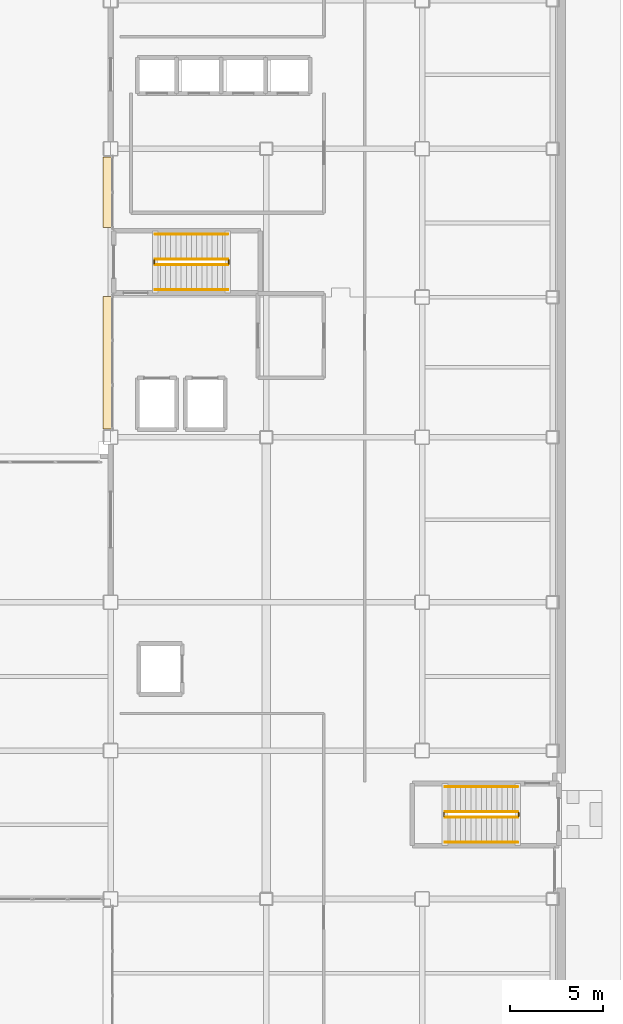
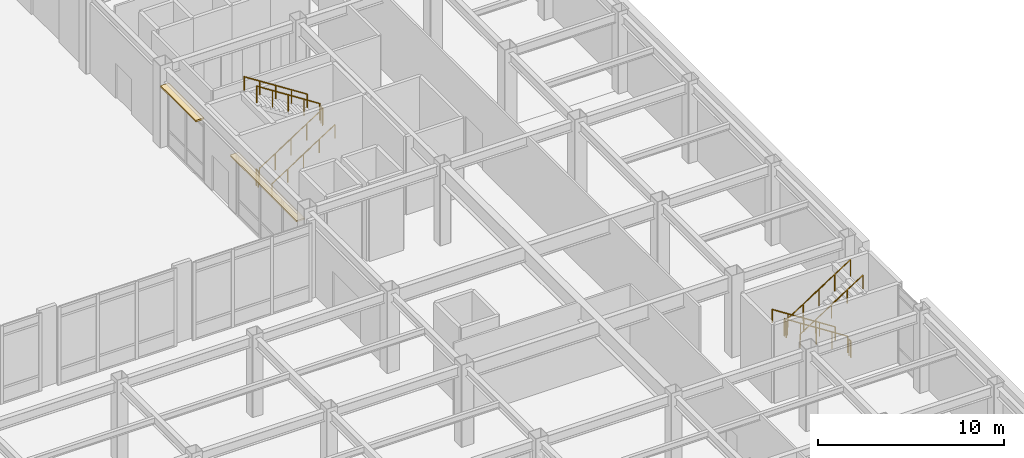
# One storey, part 162 of 165: 12 railings, 2 coverings.
"""IFC4 building model written with IfcOpenShell, lengths in metres."""

from ifc_helpers import new_model, si_unit, direction, frame, origin, origin_2d, place, context, subcontext, project, spatial, rectangle, circle, extrude, material, layer, layer_set, type_object, element, save


model = new_model("IFC4")

# Units and contexts
model_context = context("Model", 3, precision=1e-05, world=origin(), true_north=direction((0.0, 1.0)))
body_context = subcontext(model_context, "Body", "Model", "MODEL_VIEW")
ifc_project = project(units=[si_unit("LENGTHUNIT", "METRE"), si_unit("AREAUNIT", "SQUARE_METRE"), si_unit("VOLUMEUNIT", "CUBIC_METRE"), si_unit("PLANEANGLEUNIT", "RADIAN"), si_unit("MASSUNIT", "GRAM", prefix="KILO")], contexts=[model_context])

# Site, building, storey
site_placement = place(None, origin())
site = spatial("IfcSite", under=ifc_project, at=site_placement, CompositionType="ELEMENT")
building_placement = place(site_placement, origin())
building = spatial("IfcBuilding", under=site, at=building_placement, Name="Kazehara Bluff Congress Hotel", CompositionType="ELEMENT")
storey_placement = place(building_placement, origin())
storey = spatial("IfcBuildingStorey", under=building, at=storey_placement, Name="L00", CompositionType="ELEMENT", Elevation=0.0)

# Coverings
ifc_material_1 = material(Name="Anodised aluminium architectural brise-soleil", Category="aluminium")
ifc_layer = layer(ifc_material_1, 0.10009765625)
ifc_layer_set = layer_set([ifc_layer], Name="Anodised aluminium architectural brise-soleil")
covering_type = type_object("IfcCoveringType", Name="TP-FAC-FIN", PredefinedType="CLADDING", material=ifc_layer_set)
covering_1_placement = place(storey_placement, frame((143.56005859375, 44.919921875, 4.054931640625), z_axis=(0.0, 0.0, 1.0), x_axis=(1.0, 0.0, 0.0)))
element("IfcCovering", 1, at=covering_1_placement, inside=storey, type_object=covering_type, Name="L00 V5 architectural sun-hood 24", PredefinedType="CLADDING", context=body_context, shape_type="SweptSolid", body=[
    extrude(rectangle(XDim=0.52001953125, YDim=7.139892578125, at=origin_2d()), origin(), (0.0, 0.0, 1.0), 0.10009765625),
])
covering_2_placement = place(storey_placement, frame((143.56005859375, 54.10498046875, 4.054931640625), z_axis=(0.0, 0.0, 1.0), x_axis=(1.0, 0.0, 0.0)))
element("IfcCovering", 2, at=covering_2_placement, inside=storey, type_object=covering_type, Name="L00 V5 architectural sun-hood 25", PredefinedType="CLADDING", context=body_context, shape_type="SweptSolid", body=[
    extrude(rectangle(XDim=0.52001953125, YDim=3.7900390625, at=origin_2d()), origin(), (0.0, 0.0, 1.0), 0.10009765625),
])

# Railings
ifc_material_2 = material(Name="Brushed stainless steel", Category="steel")
railing_type_1 = type_object("IfcRailingType", Name="TP-GRD-INT", PredefinedType="GUARDRAIL", material=ifc_material_2)
railing_1_placement = place(storey_placement, frame((165.64990234375, 20.699951171875, 0.179931640625)))
element("IfcRailing", 3, at=railing_1_placement, inside=storey, type_object=railing_type_1, Name="L00 ST-10 stair guard 1", PredefinedType="GUARDRAIL", context=body_context, shape_type="SweptSolid", body=[
    extrude(circle(Radius=0.02392578125, at=origin_2d()), frame((0.0, 0.0, 1.076171875), z_axis=(-0.841171666519, 0.0, 0.540768182723), x_axis=(0.0, -1.0, 0.0)), (0.0, 0.0, 1.0), 4.66015625),
    extrude(circle(Radius=0.02099609375, at=origin_2d()), origin(), (0.0, 0.0, 1.0), 1.052001953125),
    extrude(circle(Radius=0.02099609375, at=origin_2d()), frame((-0.97998046875, 0.0, 0.6298828125)), (0.0, 0.0, 1.0), 1.052001953125),
    extrude(circle(Radius=0.02099609375, at=origin_2d()), frame((-1.9599609375, 0.0, 1.260009765625)), (0.0, 0.0, 1.0), 1.052001953125),
    extrude(circle(Radius=0.02099609375, at=origin_2d()), frame((-2.93994140625, 0.0, 1.89013671875)), (0.0, 0.0, 1.0), 1.052001953125),
    extrude(circle(Radius=0.02099609375, at=origin_2d()), frame((-3.919921875, 0.0, 2.52001953125)), (0.0, 0.0, 1.0), 1.052001953125),
])
railing_2_placement = place(storey_placement, frame((161.679931640625, 20.64990234375, 2.699951171875)))
element("IfcRailing", 4, at=railing_2_placement, inside=storey, type_object=railing_type_1, Name="L00 ST-10 stair guard 2", PredefinedType="GUARDRAIL", context=body_context, shape_type="SweptSolid", body=[
    extrude(circle(Radius=0.02392578125, at=origin_2d()), frame((0.0, 0.0, 1.076171875), z_axis=(0.0, -1.0, 0.0), x_axis=(1.0, 0.0, 0.0)), (0.0, 0.0, 1.0), 0.199951171875),
    extrude(circle(Radius=0.02099609375, at=origin_2d()), origin(), (0.0, 0.0, 1.0), 1.052001953125),
    extrude(circle(Radius=0.02099609375, at=origin_2d()), frame((0.0, -0.199951171875, 0.0)), (0.0, 0.0, 1.0), 1.052001953125),
])
railing_3_placement = place(storey_placement, frame((161.72998046875, 20.39990234375, 2.8798828125)))
element("IfcRailing", 5, at=railing_3_placement, inside=storey, type_object=railing_type_1, Name="L00 ST-10 stair guard 3", PredefinedType="GUARDRAIL", context=body_context, shape_type="SweptSolid", body=[
    extrude(circle(Radius=0.02392578125, at=origin_2d()), frame((0.0, 0.0, 1.076171875), z_axis=(0.841171666519, 0.0, 0.540768182723), x_axis=(0.0, 1.0, 0.0)), (0.0, 0.0, 1.0), 4.66015625),
    extrude(circle(Radius=0.02099609375, at=origin_2d()), origin(), (0.0, 0.0, 1.0), 1.052001953125),
    extrude(circle(Radius=0.02099609375, at=origin_2d()), frame((0.97998046875, 0.0, 0.6298828125)), (0.0, 0.0, 1.0), 1.052001953125),
    extrude(circle(Radius=0.02099609375, at=origin_2d()), frame((1.9599609375, 0.0, 1.260009765625)), (0.0, 0.0, 1.0), 1.052001953125),
    extrude(circle(Radius=0.02099609375, at=origin_2d()), frame((2.93994140625, 0.0, 1.89013671875)), (0.0, 0.0, 1.0), 1.052001953125),
    extrude(circle(Radius=0.02099609375, at=origin_2d()), frame((3.919921875, 0.0, 2.52001953125)), (0.0, 0.0, 1.0), 1.052001953125),
])
railing_4_placement = place(storey_placement, frame((165.699951171875, 20.64990234375, 0.0)))
element("IfcRailing", 6, at=railing_4_placement, inside=storey, type_object=railing_type_1, Name="L00 ST-10 stair guard 4", PredefinedType="GUARDRAIL", context=body_context, shape_type="SweptSolid", body=[
    extrude(circle(Radius=0.02392578125, at=origin_2d()), frame((0.0, 0.0, 1.076171875), z_axis=(0.0, -1.0, 0.0), x_axis=(1.0, 0.0, 0.0)), (0.0, 0.0, 1.0), 0.199951171875),
    extrude(circle(Radius=0.02099609375, at=origin_2d()), origin(), (0.0, 0.0, 1.0), 1.052001953125),
    extrude(circle(Radius=0.02099609375, at=origin_2d()), frame((0.0, -0.199951171875, 0.0)), (0.0, 0.0, 1.0), 1.052001953125),
])
railing_5_placement = place(storey_placement, frame((146.10009765625, 50.199951171875, 0.179931640625)))
element("IfcRailing", 7, at=railing_5_placement, inside=storey, type_object=railing_type_1, Name="L00 ST-11 stair guard 1", PredefinedType="GUARDRAIL", context=body_context, shape_type="SweptSolid", body=[
    extrude(circle(Radius=0.02392578125, at=origin_2d()), frame((0.0, 0.0, 1.076171875), z_axis=(0.841171666519, 0.0, 0.540768182723), x_axis=(0.0, 1.0, 0.0)), (0.0, 0.0, 1.0), 4.66015625),
    extrude(circle(Radius=0.02099609375, at=origin_2d()), origin(), (0.0, 0.0, 1.0), 1.052001953125),
    extrude(circle(Radius=0.02099609375, at=origin_2d()), frame((0.97998046875, 0.0, 0.6298828125)), (0.0, 0.0, 1.0), 1.052001953125),
    extrude(circle(Radius=0.02099609375, at=origin_2d()), frame((1.9599609375, 0.0, 1.260009765625)), (0.0, 0.0, 1.0), 1.052001953125),
    extrude(circle(Radius=0.02099609375, at=origin_2d()), frame((2.93994140625, 0.0, 1.89013671875)), (0.0, 0.0, 1.0), 1.052001953125),
    extrude(circle(Radius=0.02099609375, at=origin_2d()), frame((3.919921875, 0.0, 2.52001953125)), (0.0, 0.0, 1.0), 1.052001953125),
])
railing_6_placement = place(storey_placement, frame((150.070068359375, 50.25, 2.699951171875)))
element("IfcRailing", 8, at=railing_6_placement, inside=storey, type_object=railing_type_1, Name="L00 ST-11 stair guard 2", PredefinedType="GUARDRAIL", context=body_context, shape_type="SweptSolid", body=[
    extrude(circle(Radius=0.02392578125, at=origin_2d()), frame((0.0, 0.0, 1.076171875), z_axis=(0.0, 1.0, 0.0), x_axis=(-1.0, 0.0, 0.0)), (0.0, 0.0, 1.0), 0.199951171875),
    extrude(circle(Radius=0.02099609375, at=origin_2d()), origin(), (0.0, 0.0, 1.0), 1.052001953125),
    extrude(circle(Radius=0.02099609375, at=origin_2d()), frame((0.0, 0.199951171875, 0.0)), (0.0, 0.0, 1.0), 1.052001953125),
])
railing_7_placement = place(storey_placement, frame((150.02001953125, 50.5, 2.8798828125)))
element("IfcRailing", 9, at=railing_7_placement, inside=storey, type_object=railing_type_1, Name="L00 ST-11 stair guard 3", PredefinedType="GUARDRAIL", context=body_context, shape_type="SweptSolid", body=[
    extrude(circle(Radius=0.02392578125, at=origin_2d()), frame((0.0, 0.0, 1.076171875), z_axis=(-0.841171666519, 0.0, 0.540768182723), x_axis=(0.0, -1.0, 0.0)), (0.0, 0.0, 1.0), 4.66015625),
    extrude(circle(Radius=0.02099609375, at=origin_2d()), origin(), (0.0, 0.0, 1.0), 1.052001953125),
    extrude(circle(Radius=0.02099609375, at=origin_2d()), frame((-0.97998046875, 0.0, 0.6298828125)), (0.0, 0.0, 1.0), 1.052001953125),
    extrude(circle(Radius=0.02099609375, at=origin_2d()), frame((-1.9599609375, 0.0, 1.260009765625)), (0.0, 0.0, 1.0), 1.052001953125),
    extrude(circle(Radius=0.02099609375, at=origin_2d()), frame((-2.93994140625, 0.0, 1.89013671875)), (0.0, 0.0, 1.0), 1.052001953125),
    extrude(circle(Radius=0.02099609375, at=origin_2d()), frame((-3.919921875, 0.0, 2.52001953125)), (0.0, 0.0, 1.0), 1.052001953125),
])
railing_8_placement = place(storey_placement, frame((146.050048828125, 50.25, 0.0)))
element("IfcRailing", 10, at=railing_8_placement, inside=storey, type_object=railing_type_1, Name="L00 ST-11 stair guard 4", PredefinedType="GUARDRAIL", context=body_context, shape_type="SweptSolid", body=[
    extrude(circle(Radius=0.02392578125, at=origin_2d()), frame((0.0, 0.0, 1.076171875), z_axis=(0.0, 1.0, 0.0), x_axis=(-1.0, 0.0, 0.0)), (0.0, 0.0, 1.0), 0.199951171875),
    extrude(circle(Radius=0.02099609375, at=origin_2d()), origin(), (0.0, 0.0, 1.0), 1.052001953125),
    extrude(circle(Radius=0.02099609375, at=origin_2d()), frame((0.0, 0.199951171875, 0.0)), (0.0, 0.0, 1.0), 1.052001953125),
])
ifc_material_3 = material(Name="Brushed stainless steel", Category="steel")
railing_type_2 = type_object("IfcRailingType", Name="TP-HR-INT", PredefinedType="HANDRAIL", material=ifc_material_3)
railing_9_placement = place(storey_placement, frame((165.64990234375, 22.050048828125, 0.179931640625)))
element("IfcRailing", 11, at=railing_9_placement, inside=storey, type_object=railing_type_2, Name="L00 ST-10 stair handrail 1", PredefinedType="HANDRAIL", context=body_context, shape_type="SweptSolid", body=[
    extrude(circle(Radius=0.02392578125, at=origin_2d()), frame((0.0, 0.0, 0.8759765625), z_axis=(-0.841171666519, 0.0, 0.540768182723), x_axis=(0.0, -1.0, 0.0)), (0.0, 0.0, 1.0), 4.66015625),
    extrude(circle(Radius=0.02099609375, at=origin_2d()), origin(), (0.0, 0.0, 1.0), 0.851806640625),
    extrude(circle(Radius=0.02099609375, at=origin_2d()), frame((-0.97998046875, 0.0, 0.6298828125)), (0.0, 0.0, 1.0), 0.851806640625),
    extrude(circle(Radius=0.02099609375, at=origin_2d()), frame((-1.9599609375, 0.0, 1.260009765625)), (0.0, 0.0, 1.0), 0.851806640625),
    extrude(circle(Radius=0.02099609375, at=origin_2d()), frame((-2.93994140625, 0.0, 1.89013671875)), (0.0, 0.0, 1.0), 0.851806640625),
    extrude(circle(Radius=0.02099609375, at=origin_2d()), frame((-3.919921875, 0.0, 2.52001953125)), (0.0, 0.0, 1.0), 0.851806640625),
])
for number, where, name in (
    (12, (161.72998046875, 19.050048828125, 2.8798828125), "L00 ST-10 stair handrail 2"),
    (13, (146.10009765625, 48.85009765625, 0.179931640625), "L00 ST-11 stair handrail 1"),
):
    element("IfcRailing", number, at=place(storey_placement, frame(where)), inside=storey, type_object=railing_type_2, Name=name, PredefinedType="HANDRAIL", context=body_context, shape_type="SweptSolid", body=[
        extrude(circle(Radius=0.02392578125, at=origin_2d()), frame((0.0, 0.0, 0.8759765625), z_axis=(0.841171666519, 0.0, 0.540768182723), x_axis=(0.0, 1.0, 0.0)), (0.0, 0.0, 1.0), 4.66015625),
        extrude(circle(Radius=0.02099609375, at=origin_2d()), origin(), (0.0, 0.0, 1.0), 0.851806640625),
        extrude(circle(Radius=0.02099609375, at=origin_2d()), frame((0.97998046875, 0.0, 0.6298828125)), (0.0, 0.0, 1.0), 0.851806640625),
        extrude(circle(Radius=0.02099609375, at=origin_2d()), frame((1.9599609375, 0.0, 1.260009765625)), (0.0, 0.0, 1.0), 0.851806640625),
        extrude(circle(Radius=0.02099609375, at=origin_2d()), frame((2.93994140625, 0.0, 1.89013671875)), (0.0, 0.0, 1.0), 0.851806640625),
        extrude(circle(Radius=0.02099609375, at=origin_2d()), frame((3.919921875, 0.0, 2.52001953125)), (0.0, 0.0, 1.0), 0.851806640625),
    ])
railing_10_placement = place(storey_placement, frame((150.02001953125, 51.85009765625, 2.8798828125)))
element("IfcRailing", 14, at=railing_10_placement, inside=storey, type_object=railing_type_2, Name="L00 ST-11 stair handrail 2", PredefinedType="HANDRAIL", context=body_context, shape_type="SweptSolid", body=[
    extrude(circle(Radius=0.02392578125, at=origin_2d()), frame((0.0, 0.0, 0.8759765625), z_axis=(-0.841171666519, 0.0, 0.540768182723), x_axis=(0.0, -1.0, 0.0)), (0.0, 0.0, 1.0), 4.66015625),
    extrude(circle(Radius=0.02099609375, at=origin_2d()), origin(), (0.0, 0.0, 1.0), 0.851806640625),
    extrude(circle(Radius=0.02099609375, at=origin_2d()), frame((-0.97998046875, 0.0, 0.6298828125)), (0.0, 0.0, 1.0), 0.851806640625),
    extrude(circle(Radius=0.02099609375, at=origin_2d()), frame((-1.9599609375, 0.0, 1.260009765625)), (0.0, 0.0, 1.0), 0.851806640625),
    extrude(circle(Radius=0.02099609375, at=origin_2d()), frame((-2.93994140625, 0.0, 1.89013671875)), (0.0, 0.0, 1.0), 0.851806640625),
    extrude(circle(Radius=0.02099609375, at=origin_2d()), frame((-3.919921875, 0.0, 2.52001953125)), (0.0, 0.0, 1.0), 0.851806640625),
])

save(model, "model.ifc")
